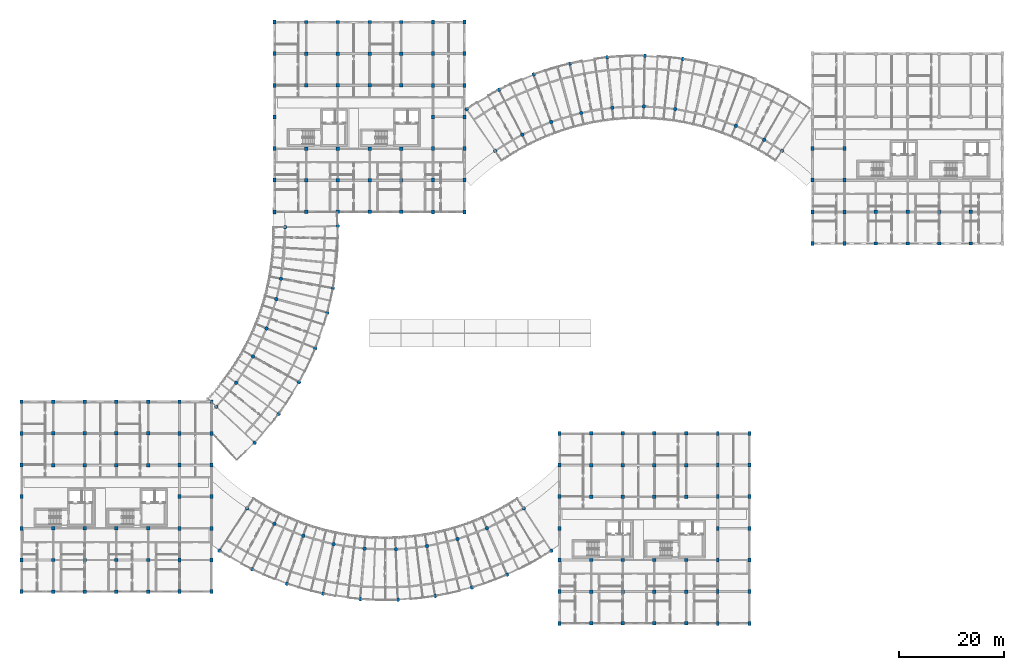
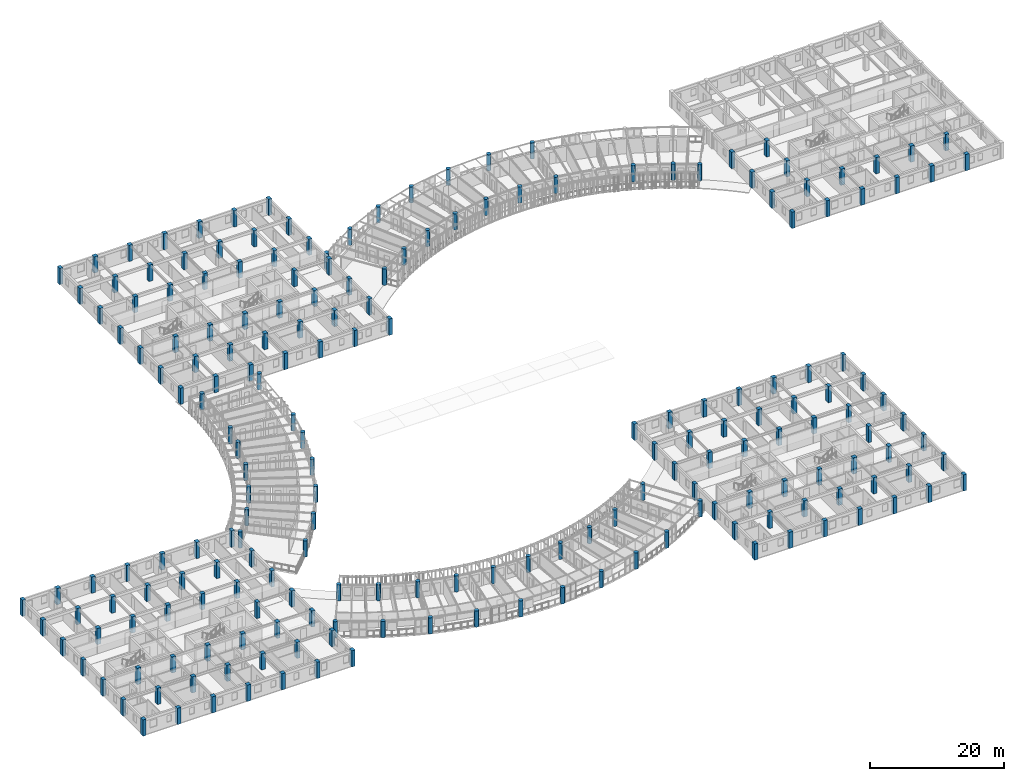
# One storey, part 1 of 100: 202 columns.
"""IFC4 building model written with IfcOpenShell, lengths in metres."""

from ifc_helpers import new_model, si_unit, direction, frame, origin, origin_2d, place, context, subcontext, project, spatial, rectangle, circle, extrude, material, material_profile, profile_set, type_object, element, save


model = new_model("IFC4")

# Units and contexts
model_context = context("Model", 3, precision=1e-05, world=origin(), true_north=direction((0.0, 1.0)))
body_context = subcontext(model_context, "Body", "Model", "MODEL_VIEW")
ifc_project = project(units=[si_unit("LENGTHUNIT", "METRE"), si_unit("AREAUNIT", "SQUARE_METRE"), si_unit("VOLUMEUNIT", "CUBIC_METRE"), si_unit("PLANEANGLEUNIT", "RADIAN"), si_unit("MASSUNIT", "GRAM", prefix="KILO"), si_unit("POWERUNIT", "WATT"), si_unit("THERMODYNAMICTEMPERATUREUNIT", "KELVIN")], contexts=[model_context])

# Site, building, storey
site_placement = place(None, origin())
site = spatial("IfcSite", under=ifc_project, at=site_placement, CompositionType="ELEMENT")
building_placement = place(site_placement, origin())
building = spatial("IfcBuilding", under=site, at=building_placement, Name="Ruvembo Vaulted Housing Court", CompositionType="ELEMENT")
storey_placement = place(building_placement, frame((0.0, 0.0, 10.89990234375)))
storey = spatial("IfcBuildingStorey", under=building, at=storey_placement, Name="L03", CompositionType="ELEMENT", Elevation=10.89990234375)

# Columns
ifc_material = material(Name="Concrete C40/50", Category="concrete")
ifc_material_profile_1 = material_profile(ifc_material, rectangle(XDim=0.550048828125, YDim=0.75, at=origin_2d()), Name="RC 550x750")
ifc_profile_set_1 = profile_set([ifc_material_profile_1], Name="Concrete C40/50")
column_type_1 = type_object("IfcColumnType", Name="COL-RC-550x750", PredefinedType="COLUMN", material=ifc_profile_set_1)
for number, where, z_axis, x_axis, name in (
    (1, (0.0, 6.0, 0.0), (0.0, 0.0, 1.0), (1.0, 0.0, 0.0), "L03 Column (0,6)"),
    (2, (0.0, 12.0, 0.0), (0.0, 0.0, 1.0), (1.0, 0.0, 0.0), "L03 Column (0,12)"),
    (3, (0.0, 18.0, 0.0), (0.0, 0.0, 1.0), (1.0, 0.0, 0.0), "L03 Column (0,18)"),
    (4, (0.0, 24.0, 0.0), (0.0, 0.0, 1.0), (1.0, 0.0, 0.0), "L03 Column (0,24)"),
    (5, (0.0, 30.0, 0.0), (0.0, 0.0, 1.0), (1.0, 0.0, 0.0), "L03 Column (0,30)"),
    (6, (0.0, 36.0, 0.0), (0.0, 0.0, 1.0), (1.0, 0.0, 0.0), "L03 Column (0,36)"),
    (7, (0.0, 42.0, 0.0), (0.0, 0.0, 1.0), (1.0, 0.0, 0.0), "L03 Column (0,42)"),
    (8, (30.0, 6.0, 0.0), (0.0, 0.0, 1.0), (1.0, 0.0, 0.0), "L03 Column (30,6)"),
    (9, (30.0, 12.0, 0.0), (0.0, 0.0, 1.0), (1.0, 0.0, 0.0), "L03 Column (30,12)"),
    (10, (30.0, 18.0, 0.0), (0.0, 0.0, 1.0), (1.0, 0.0, 0.0), "L03 Column (30,18)"),
    (11, (30.0, 24.0, 0.0), (0.0, 0.0, 1.0), (1.0, 0.0, 0.0), "L03 Column (30,24)"),
    (12, (30.0, 30.0, 0.0), (0.0, 0.0, 1.0), (1.0, 0.0, 0.0), "L03 Column (30,30)"),
    (13, (30.0, 36.0, 0.0), (0.0, 0.0, 1.0), (1.0, 0.0, 0.0), "L03 Column (30,36)"),
    (14, (30.0, 42.0, 0.0), (0.0, 0.0, 1.0), (1.0, 0.0, 0.0), "L03 Column (30,42)"),
    (15, (36.0, 6.0, 0.0), (0.0, 0.0, 1.0), (1.0, 0.0, 0.0), "L03 Column (36,6)"),
    (16, (36.0, 12.0, 0.0), (0.0, 0.0, 1.0), (1.0, 0.0, 0.0), "L03 Column (36,12)"),
    (17, (36.0, 18.0, 0.0), (0.0, 0.0, 1.0), (1.0, 0.0, 0.0), "L03 Column (36,18)"),
    (18, (36.0, 24.0, 0.0), (0.0, 0.0, 1.0), (1.0, 0.0, 0.0), "L03 Column (36,24)"),
    (19, (36.0, 30.0, 0.0), (0.0, 0.0, 1.0), (1.0, 0.0, 0.0), "L03 Column (36,30)"),
    (20, (36.0, 36.0, 0.0), (0.0, 0.0, 1.0), (1.0, 0.0, 0.0), "L03 Column (36,36)"),
    (21, (36.0, 42.0, 0.0), (0.0, 0.0, 1.0), (1.0, 0.0, 0.0), "L03 Column (36,42)"),
    (22, (48.0, 78.0, 0.0), (0.0, 0.0, 1.0), (1.0, 0.0, 0.0), "L03 Column (48,78)"),
    (23, (48.0, 84.0, 0.0), (0.0, 0.0, 1.0), (1.0, 0.0, 0.0), "L03 Column (48,84)"),
    (24, (48.0, 90.0, 0.0), (0.0, 0.0, 1.0), (1.0, 0.0, 0.0), "L03 Column (48,90)"),
    (25, (48.0, 96.0, 0.0), (0.0, 0.0, 1.0), (1.0, 0.0, 0.0), "L03 Column (48,96)"),
    (26, (48.0, 102.0, 0.0), (0.0, 0.0, 1.0), (1.0, 0.0, 0.0), "L03 Column (48,102)"),
    (27, (48.0, 108.0, 0.0), (0.0, 0.0, 1.0), (1.0, 0.0, 0.0), "L03 Column (48,108)"),
    (28, (48.0, 114.0, 0.0), (0.0, 0.0, 1.0), (1.0, 0.0, 0.0), "L03 Column (48,114)"),
    (29, (78.0, 78.0, 0.0), (0.0, 0.0, 1.0), (1.0, 0.0, 0.0), "L03 Column (78,78)"),
    (30, (78.0, 84.0, 0.0), (0.0, 0.0, 1.0), (1.0, 0.0, 0.0), "L03 Column (78,84)"),
    (31, (78.0, 90.0, 0.0), (0.0, 0.0, 1.0), (1.0, 0.0, 0.0), "L03 Column (78,90)"),
    (32, (78.0, 96.0, 0.0), (0.0, 0.0, 1.0), (1.0, 0.0, 0.0), "L03 Column (78,96)"),
    (33, (78.0, 102.0, 0.0), (0.0, 0.0, 1.0), (1.0, 0.0, 0.0), "L03 Column (78,102)"),
    (34, (78.0, 108.0, 0.0), (0.0, 0.0, 1.0), (1.0, 0.0, 0.0), "L03 Column (78,108)"),
    (35, (78.0, 114.0, 0.0), (0.0, 0.0, 1.0), (1.0, 0.0, 0.0), "L03 Column (78,114)"),
    (36, (84.0, 78.0, 0.0), (0.0, 0.0, 1.0), (1.0, 0.0, 0.0), "L03 Column (84,78)"),
    (37, (84.0, 84.0, 0.0), (0.0, 0.0, 1.0), (1.0, 0.0, 0.0), "L03 Column (84,84)"),
    (38, (84.0, 90.0, 0.0), (0.0, 0.0, 1.0), (1.0, 0.0, 0.0), "L03 Column (84,90)"),
    (39, (84.0, 96.0, 0.0), (0.0, 0.0, 1.0), (1.0, 0.0, 0.0), "L03 Column (84,96)"),
    (40, (84.0, 102.0, 0.0), (0.0, 0.0, 1.0), (1.0, 0.0, 0.0), "L03 Column (84,102)"),
    (41, (84.0, 108.0, 0.0), (0.0, 0.0, 1.0), (1.0, 0.0, 0.0), "L03 Column (84,108)"),
    (42, (84.0, 114.0, 0.0), (0.0, 0.0, 1.0), (1.0, 0.0, 0.0), "L03 Column (84,114)"),
    (43, (102.0, 0.0, 0.0), (0.0, 0.0, 1.0), (1.0, 0.0, 0.0), "L03 Column (102,0)"),
    (44, (102.0, 6.0, 0.0), (0.0, 0.0, 1.0), (1.0, 0.0, 0.0), "L03 Column (102,6)"),
    (45, (102.0, 12.0, 0.0), (0.0, 0.0, 1.0), (1.0, 0.0, 0.0), "L03 Column (102,12)"),
    (46, (102.0, 18.0, 0.0), (0.0, 0.0, 1.0), (1.0, 0.0, 0.0), "L03 Column (102,18)"),
    (47, (102.0, 24.0, 0.0), (0.0, 0.0, 1.0), (1.0, 0.0, 0.0), "L03 Column (102,24)"),
    (48, (102.0, 30.0, 0.0), (0.0, 0.0, 1.0), (1.0, 0.0, 0.0), "L03 Column (102,30)"),
    (49, (102.0, 36.0, 0.0), (0.0, 0.0, 1.0), (1.0, 0.0, 0.0), "L03 Column (102,36)"),
    (50, (132.0, 0.0, 0.0), (0.0, 0.0, 1.0), (1.0, 0.0, 0.0), "L03 Column (132,0)"),
    (51, (132.0, 6.0, 0.0), (0.0, 0.0, 1.0), (1.0, 0.0, 0.0), "L03 Column (132,6)"),
    (52, (132.0, 12.0, 0.0), (0.0, 0.0, 1.0), (1.0, 0.0, 0.0), "L03 Column (132,12)"),
    (53, (132.0, 18.0, 0.0), (0.0, 0.0, 1.0), (1.0, 0.0, 0.0), "L03 Column (132,18)"),
    (54, (132.0, 24.0, 0.0), (0.0, 0.0, 1.0), (1.0, 0.0, 0.0), "L03 Column (132,24)"),
    (55, (132.0, 30.0, 0.0), (0.0, 0.0, 1.0), (1.0, 0.0, 0.0), "L03 Column (132,30)"),
    (56, (132.0, 36.0, 0.0), (0.0, 0.0, 1.0), (1.0, 0.0, 0.0), "L03 Column (132,36)"),
    (57, (138.0, 0.0, 0.0), (0.0, 0.0, 1.0), (1.0, 0.0, 0.0), "L03 Column (138,0)"),
    (58, (138.0, 6.0, 0.0), (0.0, 0.0, 1.0), (1.0, 0.0, 0.0), "L03 Column (138,6)"),
    (59, (138.0, 12.0, 0.0), (0.0, 0.0, 1.0), (1.0, 0.0, 0.0), "L03 Column (138,12)"),
    (60, (138.0, 18.0, 0.0), (0.0, 0.0, 1.0), (1.0, 0.0, 0.0), "L03 Column (138,18)"),
    (61, (138.0, 24.0, 0.0), (0.0, 0.0, 1.0), (1.0, 0.0, 0.0), "L03 Column (138,24)"),
    (62, (138.0, 30.0, 0.0), (0.0, 0.0, 1.0), (1.0, 0.0, 0.0), "L03 Column (138,30)"),
    (63, (138.0, 36.0, 0.0), (0.0, 0.0, 1.0), (1.0, 0.0, 0.0), "L03 Column (138,36)"),
    (64, (150.0, 72.0, 0.0), (0.0, 0.0, 1.0), (1.0, 0.0, 0.0), "L03 Column (150,72)"),
    (65, (150.0, 78.0, 0.0), (0.0, 0.0, 1.0), (1.0, 0.0, 0.0), "L03 Column (150,78)"),
    (66, (150.0, 84.0, 0.0), (0.0, 0.0, 1.0), (1.0, 0.0, 0.0), "L03 Column (150,84)"),
    (67, (150.0, 90.0, 0.0), (0.0, 0.0, 1.0), (1.0, 0.0, 0.0), "L03 Column (150,90)"),
    (68, (156.0, 72.0, 0.0), (0.0, 0.0, 1.0), (1.0, 0.0, 0.0), "L03 Column (156,72)"),
    (69, (156.0, 78.0, 0.0), (0.0, 0.0, 1.0), (1.0, 0.0, 0.0), "L03 Column (156,78)"),
    (70, (156.0, 84.0, 0.0), (0.0, 0.0, 1.0), (1.0, 0.0, 0.0), "L03 Column (156,84)"),
    (71, (156.0, 90.0, 0.0), (0.0, 0.0, 1.0), (1.0, 0.0, 0.0), "L03 Column (156,90)"),
):
    element("IfcColumn", number, at=place(storey_placement, frame(where, z_axis=z_axis, x_axis=x_axis)), inside=storey, type_object=column_type_1, Name=name, PredefinedType="COLUMN", context=body_context, shape_type="SweptSolid", body=[
        extrude(rectangle(XDim=0.550048828125, YDim=0.75, at=origin_2d()), origin(), (0.0, 0.0, 1.0), 2.960205078125),
    ])
ifc_material_profile_2 = material_profile(ifc_material, rectangle(XDim=0.64990234375, YDim=0.64990234375, at=origin_2d()), Name="RC 650x650")
ifc_profile_set_2 = profile_set([ifc_material_profile_2], Name="Concrete C40/50")
column_type_2 = type_object("IfcColumnType", Name="COL-RC-650", PredefinedType="COLUMN", material=ifc_profile_set_2)
for number, where, z_axis, x_axis, name in (
    (72, (6.0, 6.0, 0.0), (0.0, 0.0, 1.0), (1.0, 0.0, 0.0), "L03 Column (6,6)"),
    (73, (6.0, 12.0, 0.0), (0.0, 0.0, 1.0), (1.0, 0.0, 0.0), "L03 Column (6,12)"),
    (74, (6.0, 18.0, 0.0), (0.0, 0.0, 1.0), (1.0, 0.0, 0.0), "L03 Column (6,18)"),
    (75, (6.0, 30.0, 0.0), (0.0, 0.0, 1.0), (1.0, 0.0, 0.0), "L03 Column (6,30)"),
    (76, (6.0, 36.0, 0.0), (0.0, 0.0, 1.0), (1.0, 0.0, 0.0), "L03 Column (6,36)"),
    (77, (6.0, 42.0, 0.0), (0.0, 0.0, 1.0), (1.0, 0.0, 0.0), "L03 Column (6,42)"),
    (78, (12.0, 6.0, 0.0), (0.0, 0.0, 1.0), (1.0, 0.0, 0.0), "L03 Column (12,6)"),
    (79, (12.0, 12.0, 0.0), (0.0, 0.0, 1.0), (1.0, 0.0, 0.0), "L03 Column (12,12)"),
    (80, (12.0, 18.0, 0.0), (0.0, 0.0, 1.0), (1.0, 0.0, 0.0), "L03 Column (12,18)"),
    (81, (12.0, 30.0, 0.0), (0.0, 0.0, 1.0), (1.0, 0.0, 0.0), "L03 Column (12,30)"),
    (82, (12.0, 36.0, 0.0), (0.0, 0.0, 1.0), (1.0, 0.0, 0.0), "L03 Column (12,36)"),
    (83, (12.0, 42.0, 0.0), (0.0, 0.0, 1.0), (1.0, 0.0, 0.0), "L03 Column (12,42)"),
    (84, (18.0, 6.0, 0.0), (0.0, 0.0, 1.0), (1.0, 0.0, 0.0), "L03 Column (18,6)"),
    (85, (18.0, 12.0, 0.0), (0.0, 0.0, 1.0), (1.0, 0.0, 0.0), "L03 Column (18,12)"),
    (86, (18.0, 18.0, 0.0), (0.0, 0.0, 1.0), (1.0, 0.0, 0.0), "L03 Column (18,18)"),
    (87, (18.0, 30.0, 0.0), (0.0, 0.0, 1.0), (1.0, 0.0, 0.0), "L03 Column (18,30)"),
    (88, (18.0, 36.0, 0.0), (0.0, 0.0, 1.0), (1.0, 0.0, 0.0), "L03 Column (18,36)"),
    (89, (18.0, 42.0, 0.0), (0.0, 0.0, 1.0), (1.0, 0.0, 0.0), "L03 Column (18,42)"),
    (90, (24.0, 6.0, 0.0), (0.0, 0.0, 1.0), (1.0, 0.0, 0.0), "L03 Column (24,6)"),
    (91, (24.0, 12.0, 0.0), (0.0, 0.0, 1.0), (1.0, 0.0, 0.0), "L03 Column (24,12)"),
    (92, (24.0, 18.0, 0.0), (0.0, 0.0, 1.0), (1.0, 0.0, 0.0), "L03 Column (24,18)"),
    (93, (24.0, 30.0, 0.0), (0.0, 0.0, 1.0), (1.0, 0.0, 0.0), "L03 Column (24,30)"),
    (94, (24.0, 36.0, 0.0), (0.0, 0.0, 1.0), (1.0, 0.0, 0.0), "L03 Column (24,36)"),
    (95, (24.0, 42.0, 0.0), (0.0, 0.0, 1.0), (1.0, 0.0, 0.0), "L03 Column (24,42)"),
    (96, (54.0, 78.0, 0.0), (0.0, 0.0, 1.0), (1.0, 0.0, 0.0), "L03 Column (54,78)"),
    (97, (54.0, 84.0, 0.0), (0.0, 0.0, 1.0), (1.0, 0.0, 0.0), "L03 Column (54,84)"),
    (98, (54.0, 90.0, 0.0), (0.0, 0.0, 1.0), (1.0, 0.0, 0.0), "L03 Column (54,90)"),
    (99, (54.0, 102.0, 0.0), (0.0, 0.0, 1.0), (1.0, 0.0, 0.0), "L03 Column (54,102)"),
    (100, (54.0, 108.0, 0.0), (0.0, 0.0, 1.0), (1.0, 0.0, 0.0), "L03 Column (54,108)"),
    (101, (54.0, 114.0, 0.0), (0.0, 0.0, 1.0), (1.0, 0.0, 0.0), "L03 Column (54,114)"),
    (102, (60.0, 78.0, 0.0), (0.0, 0.0, 1.0), (1.0, 0.0, 0.0), "L03 Column (60,78)"),
    (103, (60.0, 84.0, 0.0), (0.0, 0.0, 1.0), (1.0, 0.0, 0.0), "L03 Column (60,84)"),
    (104, (60.0, 90.0, 0.0), (0.0, 0.0, 1.0), (1.0, 0.0, 0.0), "L03 Column (60,90)"),
    (105, (60.0, 102.0, 0.0), (0.0, 0.0, 1.0), (1.0, 0.0, 0.0), "L03 Column (60,102)"),
    (106, (60.0, 108.0, 0.0), (0.0, 0.0, 1.0), (1.0, 0.0, 0.0), "L03 Column (60,108)"),
    (107, (60.0, 114.0, 0.0), (0.0, 0.0, 1.0), (1.0, 0.0, 0.0), "L03 Column (60,114)"),
    (108, (66.0, 78.0, 0.0), (0.0, 0.0, 1.0), (1.0, 0.0, 0.0), "L03 Column (66,78)"),
    (109, (66.0, 84.0, 0.0), (0.0, 0.0, 1.0), (1.0, 0.0, 0.0), "L03 Column (66,84)"),
    (110, (66.0, 90.0, 0.0), (0.0, 0.0, 1.0), (1.0, 0.0, 0.0), "L03 Column (66,90)"),
    (111, (66.0, 102.0, 0.0), (0.0, 0.0, 1.0), (1.0, 0.0, 0.0), "L03 Column (66,102)"),
    (112, (66.0, 108.0, 0.0), (0.0, 0.0, 1.0), (1.0, 0.0, 0.0), "L03 Column (66,108)"),
    (113, (66.0, 114.0, 0.0), (0.0, 0.0, 1.0), (1.0, 0.0, 0.0), "L03 Column (66,114)"),
    (114, (72.0, 78.0, 0.0), (0.0, 0.0, 1.0), (1.0, 0.0, 0.0), "L03 Column (72,78)"),
    (115, (72.0, 84.0, 0.0), (0.0, 0.0, 1.0), (1.0, 0.0, 0.0), "L03 Column (72,84)"),
    (116, (72.0, 90.0, 0.0), (0.0, 0.0, 1.0), (1.0, 0.0, 0.0), "L03 Column (72,90)"),
    (117, (72.0, 102.0, 0.0), (0.0, 0.0, 1.0), (1.0, 0.0, 0.0), "L03 Column (72,102)"),
    (118, (72.0, 108.0, 0.0), (0.0, 0.0, 1.0), (1.0, 0.0, 0.0), "L03 Column (72,108)"),
    (119, (72.0, 114.0, 0.0), (0.0, 0.0, 1.0), (1.0, 0.0, 0.0), "L03 Column (72,114)"),
    (120, (108.0, 0.0, 0.0), (0.0, 0.0, 1.0), (1.0, 0.0, 0.0), "L03 Column (108,0)"),
    (121, (108.0, 6.0, 0.0), (0.0, 0.0, 1.0), (1.0, 0.0, 0.0), "L03 Column (108,6)"),
    (122, (108.0, 12.0, 0.0), (0.0, 0.0, 1.0), (1.0, 0.0, 0.0), "L03 Column (108,12)"),
    (123, (108.0, 24.0, 0.0), (0.0, 0.0, 1.0), (1.0, 0.0, 0.0), "L03 Column (108,24)"),
    (124, (108.0, 30.0, 0.0), (0.0, 0.0, 1.0), (1.0, 0.0, 0.0), "L03 Column (108,30)"),
    (125, (108.0, 36.0, 0.0), (0.0, 0.0, 1.0), (1.0, 0.0, 0.0), "L03 Column (108,36)"),
    (126, (114.0, 0.0, 0.0), (0.0, 0.0, 1.0), (1.0, 0.0, 0.0), "L03 Column (114,0)"),
    (127, (114.0, 6.0, 0.0), (0.0, 0.0, 1.0), (1.0, 0.0, 0.0), "L03 Column (114,6)"),
    (128, (114.0, 12.0, 0.0), (0.0, 0.0, 1.0), (1.0, 0.0, 0.0), "L03 Column (114,12)"),
    (129, (114.0, 24.0, 0.0), (0.0, 0.0, 1.0), (1.0, 0.0, 0.0), "L03 Column (114,24)"),
    (130, (114.0, 30.0, 0.0), (0.0, 0.0, 1.0), (1.0, 0.0, 0.0), "L03 Column (114,30)"),
    (131, (114.0, 36.0, 0.0), (0.0, 0.0, 1.0), (1.0, 0.0, 0.0), "L03 Column (114,36)"),
    (132, (120.0, 0.0, 0.0), (0.0, 0.0, 1.0), (1.0, 0.0, 0.0), "L03 Column (120,0)"),
    (133, (120.0, 6.0, 0.0), (0.0, 0.0, 1.0), (1.0, 0.0, 0.0), "L03 Column (120,6)"),
    (134, (120.0, 12.0, 0.0), (0.0, 0.0, 1.0), (1.0, 0.0, 0.0), "L03 Column (120,12)"),
    (135, (120.0, 24.0, 0.0), (0.0, 0.0, 1.0), (1.0, 0.0, 0.0), "L03 Column (120,24)"),
    (136, (120.0, 30.0, 0.0), (0.0, 0.0, 1.0), (1.0, 0.0, 0.0), "L03 Column (120,30)"),
    (137, (120.0, 36.0, 0.0), (0.0, 0.0, 1.0), (1.0, 0.0, 0.0), "L03 Column (120,36)"),
    (138, (126.0, 0.0, 0.0), (0.0, 0.0, 1.0), (1.0, 0.0, 0.0), "L03 Column (126,0)"),
    (139, (126.0, 6.0, 0.0), (0.0, 0.0, 1.0), (1.0, 0.0, 0.0), "L03 Column (126,6)"),
    (140, (126.0, 12.0, 0.0), (0.0, 0.0, 1.0), (1.0, 0.0, 0.0), "L03 Column (126,12)"),
    (141, (126.0, 24.0, 0.0), (0.0, 0.0, 1.0), (1.0, 0.0, 0.0), "L03 Column (126,24)"),
    (142, (126.0, 30.0, 0.0), (0.0, 0.0, 1.0), (1.0, 0.0, 0.0), "L03 Column (126,30)"),
    (143, (126.0, 36.0, 0.0), (0.0, 0.0, 1.0), (1.0, 0.0, 0.0), "L03 Column (126,36)"),
    (144, (162.0, 72.0, 0.0), (0.0, 0.0, 1.0), (1.0, 0.0, 0.0), "L03 Column (162,72)"),
    (145, (162.0, 78.0, 0.0), (0.0, 0.0, 1.0), (1.0, 0.0, 0.0), "L03 Column (162,78)"),
    (146, (168.0, 72.0, 0.0), (0.0, 0.0, 1.0), (1.0, 0.0, 0.0), "L03 Column (168,72)"),
    (147, (168.0, 78.0, 0.0), (0.0, 0.0, 1.0), (1.0, 0.0, 0.0), "L03 Column (168,78)"),
    (148, (174.0, 72.0, 0.0), (0.0, 0.0, 1.0), (1.0, 0.0, 0.0), "L03 Column (174,72)"),
    (149, (174.0, 78.0, 0.0), (0.0, 0.0, 1.0), (1.0, 0.0, 0.0), "L03 Column (174,78)"),
    (150, (180.0, 72.0, 0.0), (0.0, 0.0, 1.0), (1.0, 0.0, 0.0), "L03 Column (180,72)"),
    (151, (180.0, 78.0, 0.0), (0.0, 0.0, 1.0), (1.0, 0.0, 0.0), "L03 Column (180,78)"),
):
    element("IfcColumn", number, at=place(storey_placement, frame(where, z_axis=z_axis, x_axis=x_axis)), inside=storey, type_object=column_type_2, Name=name, PredefinedType="COLUMN", context=body_context, shape_type="SweptSolid", body=[
        extrude(rectangle(XDim=0.64990234375, YDim=0.64990234375, at=origin_2d()), origin(), (0.0, 0.0, 1.0), 2.960205078125),
    ])
ifc_material_profile_3 = material_profile(ifc_material, circle(Radius=0.35009765625, at=origin_2d()), Name="RC D700")
ifc_profile_set_3 = profile_set([ifc_material_profile_3], Name="Concrete C40/50")
column_type_3 = type_object("IfcColumnType", Name="PILOTIS-D700", PredefinedType="COLUMN", material=ifc_profile_set_3)
for number, where, z_axis, x_axis, name in (
    (152, (36.9306640625, 41.078125, 0.0), (0.0, 0.0, 1.0), (1.0, 0.0, 0.0), "L03 Scooped Pier CP-SC1-F01"),
    (153, (44.207763671875, 34.21923828125, 0.0), (0.0, 0.0, 1.0), (1.0, 0.0, 0.0), "L03 Scooped Pier CP-SC1-B01"),
    (154, (40.7041015625, 45.60986328125, 0.0), (0.0, 0.0, 1.0), (1.0, 0.0, 0.0), "L03 Scooped Pier CP-SC1-F02"),
    (155, (48.767333984375, 39.6953125, 0.0), (0.0, 0.0, 1.0), (1.0, 0.0, 0.0), "L03 Scooped Pier CP-SC1-B02"),
    (156, (43.89306640625, 50.570068359375, 0.0), (0.0, 0.0, 1.0), (1.0, 0.0, 0.0), "L03 Scooped Pier CP-SC1-F03"),
    (157, (52.620849609375, 45.688720703125, 0.0), (0.0, 0.0, 1.0), (1.0, 0.0, 0.0), "L03 Scooped Pier CP-SC1-B03"),
    (158, (46.449951171875, 55.8837890625, 0.0), (0.0, 0.0, 1.0), (1.0, 0.0, 0.0), "L03 Scooped Pier CP-SC1-F04"),
    (159, (55.71044921875, 52.109619140625, 0.0), (0.0, 0.0, 1.0), (1.0, 0.0, 0.0), "L03 Scooped Pier CP-SC1-B04"),
    (160, (48.3359375, 61.47119140625, 0.0), (0.0, 0.0, 1.0), (1.0, 0.0, 0.0), "L03 Scooped Pier CP-SC1-F05"),
    (161, (57.989501953125, 58.861083984375, 0.0), (0.0, 0.0, 1.0), (1.0, 0.0, 0.0), "L03 Scooped Pier CP-SC1-B05"),
    (162, (49.206298828125, 65.306396484375, 0.0), (0.0, 0.0, 1.0), (1.0, 0.0, 0.0), "L03 Scooped Pier CP-SC1-F06"),
    (163, (59.040771484375, 63.495361328125, 0.0), (0.0, 0.0, 1.0), (1.0, 0.0, 0.0), "L03 Scooped Pier CP-SC1-B06"),
    (164, (49.987548828125, 75.092529296875, 0.0), (0.0, 0.0, 1.0), (1.0, 0.0, 0.0), "L03 Scooped Pier CP-SC1-F07"),
    (165, (59.985107421875, 75.3203125, 0.0), (0.0, 0.0, 1.0), (1.0, 0.0, 0.0), "L03 Scooped Pier CP-SC1-B07"),
    (166, (42.79345703125, 21.785400390625, 0.0), (0.0, 0.0, 1.0), (1.0, 0.0, 0.0), "L03 Scooped Pier CP-SC2-F01"),
    (167, (37.55224609375, 13.742431640625, 0.0), (0.0, 0.0, 1.0), (1.0, 0.0, 0.0), "L03 Scooped Pier CP-SC2-B01"),
    (168, (47.958251953125, 18.85791015625, 0.0), (0.0, 0.0, 1.0), (1.0, 0.0, 0.0), "L03 Scooped Pier CP-SC2-F02"),
    (169, (43.749755859375, 10.2294921875, 0.0), (0.0, 0.0, 1.0), (1.0, 0.0, 0.0), "L03 Scooped Pier CP-SC2-B02"),
    (170, (53.44482421875, 16.59033203125, 0.0), (0.0, 0.0, 1.0), (1.0, 0.0, 0.0), "L03 Scooped Pier CP-SC2-F03"),
    (171, (50.333740234375, 7.50830078125, 0.0), (0.0, 0.0, 1.0), (1.0, 0.0, 0.0), "L03 Scooped Pier CP-SC2-B03"),
    (172, (59.169189453125, 15.017578125, 0.0), (0.0, 0.0, 1.0), (1.0, 0.0, 0.0), "L03 Scooped Pier CP-SC2-F04"),
    (173, (57.203125, 5.62109375, 0.0), (0.0, 0.0, 1.0), (1.0, 0.0, 0.0), "L03 Scooped Pier CP-SC2-B04"),
    (174, (65.044189453125, 14.163330078125, 0.0), (0.0, 0.0, 1.0), (1.0, 0.0, 0.0), "L03 Scooped Pier CP-SC2-F05"),
    (175, (64.2529296875, 4.595947265625, 0.0), (0.0, 0.0, 1.0), (1.0, 0.0, 0.0), "L03 Scooped Pier CP-SC2-B05"),
    (176, (70.9794921875, 14.040771484375, 0.0), (0.0, 0.0, 1.0), (1.0, 0.0, 0.0), "L03 Scooped Pier CP-SC2-F06"),
    (177, (71.37548828125, 4.448974609375, 0.0), (0.0, 0.0, 1.0), (1.0, 0.0, 0.0), "L03 Scooped Pier CP-SC2-B06"),
    (178, (76.884765625, 14.652099609375, 0.0), (0.0, 0.0, 1.0), (1.0, 0.0, 0.0), "L03 Scooped Pier CP-SC2-F07"),
    (179, (78.461669921875, 5.182373046875, 0.0), (0.0, 0.0, 1.0), (1.0, 0.0, 0.0), "L03 Scooped Pier CP-SC2-B07"),
    (180, (82.669189453125, 15.987548828125, 0.0), (0.0, 0.0, 1.0), (1.0, 0.0, 0.0), "L03 Scooped Pier CP-SC2-F08"),
    (181, (85.403076171875, 6.784912109375, 0.0), (0.0, 0.0, 1.0), (1.0, 0.0, 0.0), "L03 Scooped Pier CP-SC2-B08"),
    (182, (88.24462890625, 18.02685546875, 0.0), (0.0, 0.0, 1.0), (1.0, 0.0, 0.0), "L03 Scooped Pier CP-SC2-F09"),
    (183, (92.093505859375, 9.232177734375, 0.0), (0.0, 0.0, 1.0), (1.0, 0.0, 0.0), "L03 Scooped Pier CP-SC2-B09"),
    (184, (95.20654296875, 21.785400390625, 0.0), (0.0, 0.0, 1.0), (1.0, 0.0, 0.0), "L03 Scooped Pier CP-SC2-F10"),
    (185, (100.44775390625, 13.742431640625, 0.0), (0.0, 0.0, 1.0), (1.0, 0.0, 0.0), "L03 Scooped Pier CP-SC2-B10"),
    (186, (89.82177734375, 89.564453125, 0.0), (0.0, 0.0, 1.0), (1.0, 0.0, 0.0), "L03 Scooped Pier CP-SC3-F01"),
    (187, (84.38623046875, 97.477294921875, 0.0), (0.0, 0.0, 1.0), (1.0, 0.0, 0.0), "L03 Scooped Pier CP-SC3-B01"),
    (188, (94.946533203125, 92.6337890625, 0.0), (0.0, 0.0, 1.0), (1.0, 0.0, 0.0), "L03 Scooped Pier CP-SC3-F02"),
    (189, (90.535888671875, 101.16064453125, 0.0), (0.0, 0.0, 1.0), (1.0, 0.0, 0.0), "L03 Scooped Pier CP-SC3-B02"),
    (190, (100.412841796875, 95.04296875, 0.0), (0.0, 0.0, 1.0), (1.0, 0.0, 0.0), "L03 Scooped Pier CP-SC3-F03"),
    (191, (97.095458984375, 104.051513671875, 0.0), (0.0, 0.0, 1.0), (1.0, 0.0, 0.0), "L03 Scooped Pier CP-SC3-B03"),
    (192, (106.13623046875, 96.75439453125, 0.0), (0.0, 0.0, 1.0), (1.0, 0.0, 0.0), "L03 Scooped Pier CP-SC3-F04"),
    (193, (103.96337890625, 106.105224609375, 0.0), (0.0, 0.0, 1.0), (1.0, 0.0, 0.0), "L03 Scooped Pier CP-SC3-B04"),
    (194, (112.027587890625, 97.74169921875, 0.0), (0.0, 0.0, 1.0), (1.0, 0.0, 0.0), "L03 Scooped Pier CP-SC3-F05"),
    (195, (111.033203125, 107.2900390625, 0.0), (0.0, 0.0, 1.0), (1.0, 0.0, 0.0), "L03 Scooped Pier CP-SC3-B05"),
    (196, (117.99609375, 97.98974609375, 0.0), (0.0, 0.0, 1.0), (1.0, 0.0, 0.0), "L03 Scooped Pier CP-SC3-F06"),
    (197, (118.1953125, 107.587646484375, 0.0), (0.0, 0.0, 1.0), (1.0, 0.0, 0.0), "L03 Scooped Pier CP-SC3-B06"),
    (198, (123.94921875, 97.494384765625, 0.0), (0.0, 0.0, 1.0), (1.0, 0.0, 0.0), "L03 Scooped Pier CP-SC3-F07"),
    (199, (125.339111328125, 106.9931640625, 0.0), (0.0, 0.0, 1.0), (1.0, 0.0, 0.0), "L03 Scooped Pier CP-SC3-B07"),
    (200, (135.44189453125, 94.31591796875, 0.0), (0.0, 0.0, 1.0), (1.0, 0.0, 0.0), "L03 Scooped Pier CP-SC3-F09"),
    (201, (140.8037109375, 91.681884765625, 0.0), (0.0, 0.0, 1.0), (1.0, 0.0, 0.0), "L03 Scooped Pier CP-SC3-F10"),
    (202, (144.17822265625, 89.564453125, 0.0), (0.0, 0.0, 1.0), (1.0, 0.0, 0.0), "L03 Scooped Pier CP-SC3-F11"),
):
    element("IfcColumn", number, at=place(storey_placement, frame(where, z_axis=z_axis, x_axis=x_axis)), inside=storey, type_object=column_type_3, Name=name, PredefinedType="COLUMN", context=body_context, shape_type="SweptSolid", body=[
        extrude(circle(Radius=0.35009765625, at=origin_2d()), origin(), (0.0, 0.0, 1.0), 2.947998046875),
    ])

save(model, "model.ifc")
